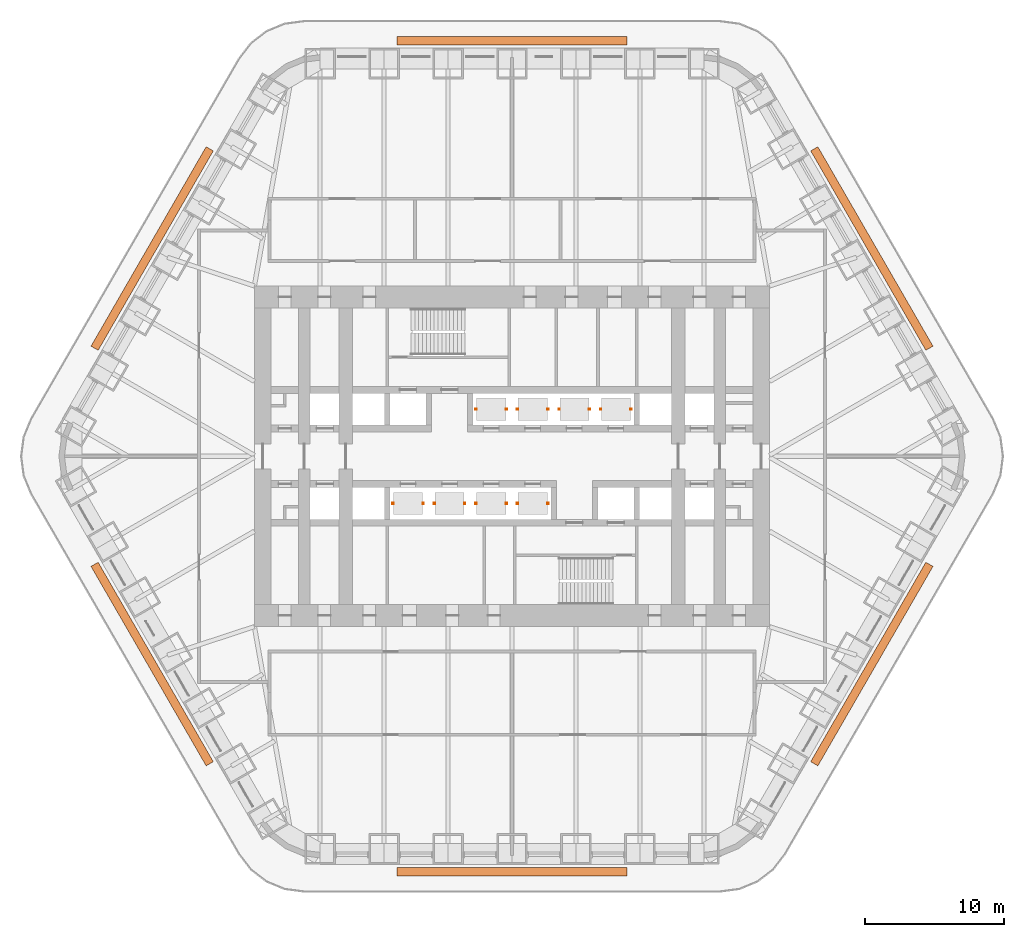
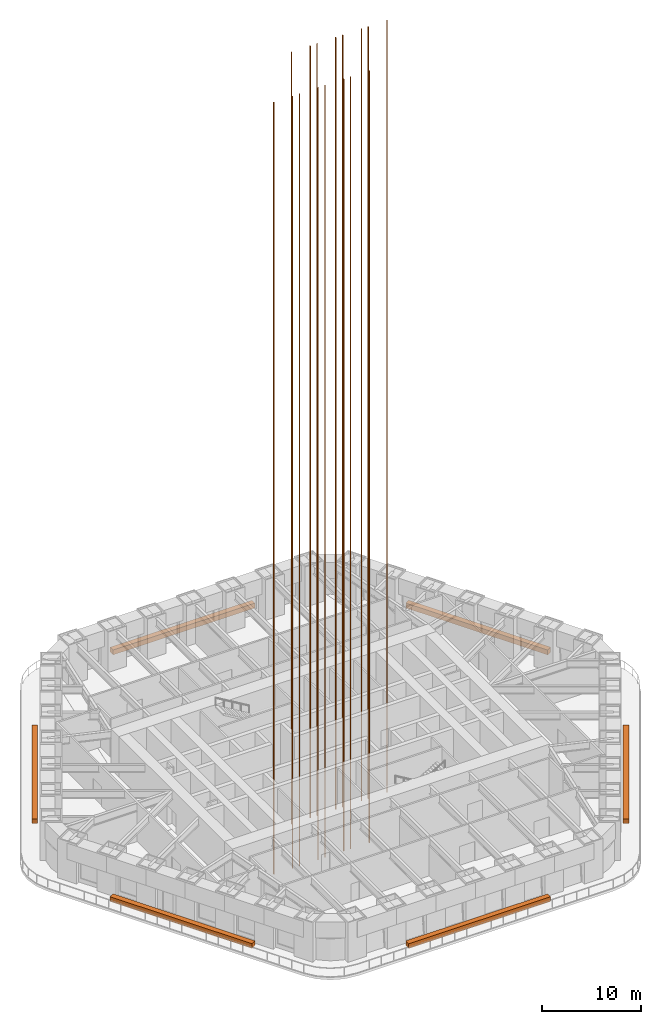
# One storey, part 15 of 15: 14 proxies.
"""IFC4 building model written with IfcOpenShell, lengths in metres."""

from ifc_helpers import new_model, si_unit, direction, frame, frame_2d, origin, origin_2d, place, context, subcontext, project, spatial, rectangle, extrude, material, element, save


model = new_model("IFC4")

# Units and contexts
model_context = context("Model", 3, precision=1e-05, world=origin(), true_north=direction((0.0, 1.0)))
body_context = subcontext(model_context, "Body", "Model", "MODEL_VIEW")
ifc_project = project(units=[si_unit("LENGTHUNIT", "METRE"), si_unit("AREAUNIT", "SQUARE_METRE"), si_unit("VOLUMEUNIT", "CUBIC_METRE"), si_unit("PLANEANGLEUNIT", "RADIAN"), si_unit("MASSUNIT", "GRAM", prefix="KILO")], contexts=[model_context])

# Site, building, storey
site_placement = place(None, origin())
site = spatial("IfcSite", under=ifc_project, at=site_placement, CompositionType="ELEMENT")
building_placement = place(site_placement, origin())
building = spatial("IfcBuilding", under=site, at=building_placement, Name="Tarfa Lantern Tower", CompositionType="ELEMENT")
storey_placement = place(building_placement, frame((0.0, 0.0, 210.5)))
storey = spatial("IfcBuildingStorey", under=building, at=storey_placement, Name="L47", CompositionType="ELEMENT", Elevation=210.5)

# Proxies
ifc_material_1 = material(Name="Planting bed")
for number, where, z_axis, x_axis, name in (
    (1, (25.980712890625, 15.0, 0.0), (0.0, 0.0, 1.0), (-0.5, 0.866025403784, 0.0), "Sky garden planter"),
    (2, (0.0, 30.0, 0.0), (0.0, 0.0, 1.0), (-1.0, 0.0, 0.0), "Sky garden planter"),
    (3, (-25.980712890625, 15.0, 0.0), (0.0, 0.0, 1.0), (-0.5, -0.866025403784, 0.0), "Sky garden planter"),
    (4, (-25.980712890625, -15.0, 0.0), (0.0, 0.0, 1.0), (0.5, -0.866025403784, 0.0), "Sky garden planter"),
    (5, (0.0, -30.0, 0.0), (0.0, 0.0, 1.0), (1.0, 0.0, 0.0), "Sky garden planter"),
    (6, (25.980712890625, -15.0, 0.0), (0.0, 0.0, 1.0), (0.5, 0.866025403784, 0.0), "Sky garden planter"),
):
    element("IfcBuildingElementProxy", number, at=place(storey_placement, frame(where, z_axis=z_axis, x_axis=x_axis)), inside=storey, material=ifc_material_1, Name=name, ObjectType="PLANTER", PredefinedType="USERDEFINED", context=body_context, shape_type="SweptSolid", body=[
        extrude(rectangle(XDim=16.627685546875, YDim=0.60009765625, at=origin_2d()), origin(), (0.0, 0.0, 1.0), 0.60009765625),
    ])
ifc_material_2 = material(Name="Steel S355", Category="steel")
for number, where, z_axis, x_axis, name in (
    (7, (-2.594970703125, 3.39990234375, -7.0), (0.0, 0.0, 1.0), (1.0, 0.0, 0.0), "Guide rails PC1"),
    (8, (0.405029296875, 3.39990234375, -7.0), (0.0, 0.0, 1.0), (1.0, 0.0, 0.0), "Guide rails PC2"),
    (9, (3.405029296875, 3.39990234375, -7.0), (0.0, 0.0, 1.0), (1.0, 0.0, 0.0), "Guide rails PC3"),
    (10, (6.405029296875, 3.39990234375, -7.0), (0.0, 0.0, 1.0), (1.0, 0.0, 0.0), "Guide rails PC4"),
    (11, (0.405029296875, -3.39990234375, -7.0), (0.0, 0.0, 1.0), (1.0, 0.0, 0.0), "Guide rails PC5"),
    (12, (-2.594970703125, -3.39990234375, -7.0), (0.0, 0.0, 1.0), (1.0, 0.0, 0.0), "Guide rails PC6"),
    (13, (-5.594970703125, -3.39990234375, -7.0), (0.0, 0.0, 1.0), (1.0, 0.0, 0.0), "Guide rails PC7"),
    (14, (-8.594970703125, -3.39990234375, -7.0), (0.0, 0.0, 1.0), (1.0, 0.0, 0.0), "Guide rails PC8"),
):
    element("IfcBuildingElementProxy", number, at=place(storey_placement, frame(where, z_axis=z_axis, x_axis=x_axis)), inside=storey, material=ifc_material_2, Name=name, PredefinedType="NOTDEFINED", context=body_context, shape_type="SweptSolid", body=[
        extrude(rectangle(XDim=0.090087890625, YDim=0.090087890625, at=origin_2d()), origin(), (0.0, 0.0, 1.0), 95.64990234375),
        extrude(rectangle(XDim=0.090087890625, YDim=0.090087890625, at=frame_2d((2.18994140625, 0.0))), origin(), (0.0, 0.0, 1.0), 95.64990234375),
    ])

save(model, "model.ifc")
